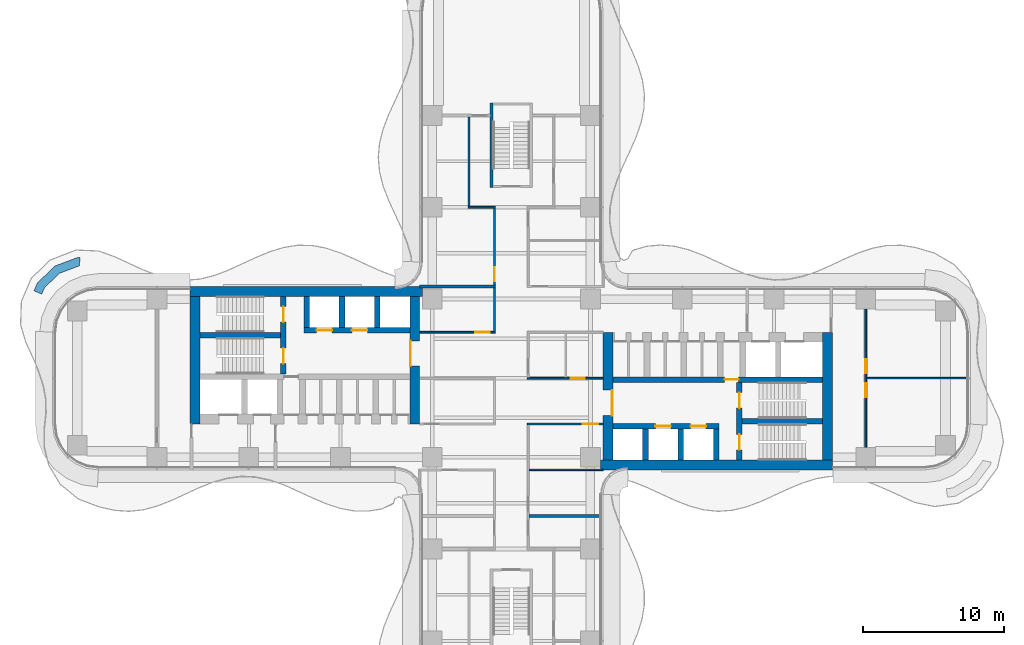
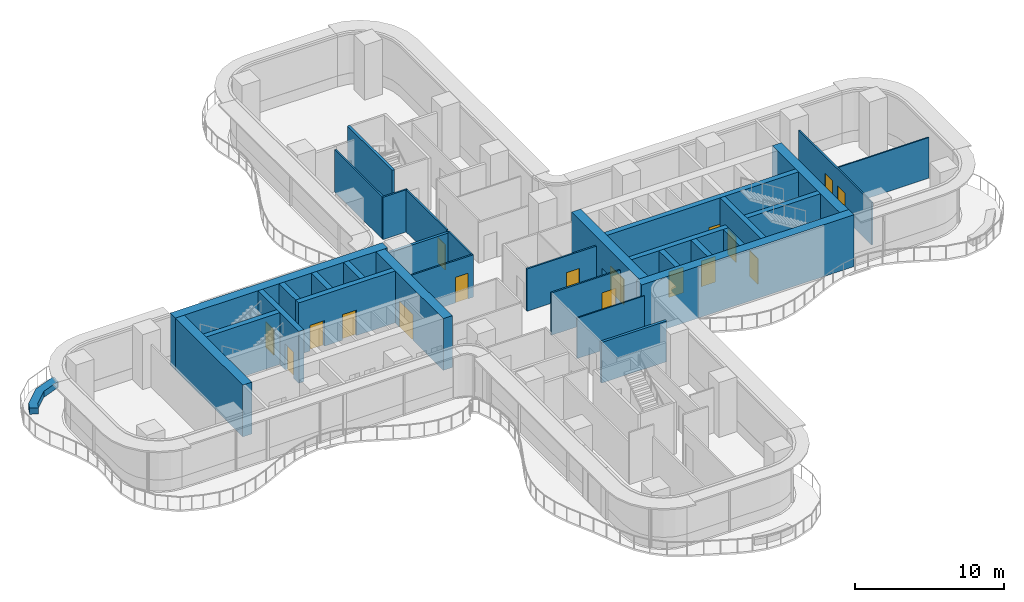
# One storey, part 18 of 22: 33 walls, 17 doors, 17 openings.
"""IFC4 building model written with IfcOpenShell, lengths in metres."""

from ifc_helpers import new_model, si_unit, direction, frame, frame_2d, origin, place, context, subcontext, project, spatial, polyline, rectangle, outline, extrude, source, transform, mapped, material, layer, layer_set, type_object, element, fill, save


model = new_model("IFC4")

# Units and contexts
model_context = context("Model", 3, precision=1e-05, world=origin(), true_north=direction((0.0, 1.0)))
body_context = subcontext(model_context, "Body", "Model", "MODEL_VIEW")
ifc_project = project(units=[si_unit("LENGTHUNIT", "METRE"), si_unit("AREAUNIT", "SQUARE_METRE"), si_unit("VOLUMEUNIT", "CUBIC_METRE"), si_unit("PLANEANGLEUNIT", "RADIAN"), si_unit("MASSUNIT", "GRAM", prefix="KILO")], contexts=[model_context])

# Site, building, storey
site_placement = place(None, origin())
site = spatial("IfcSite", under=ifc_project, at=site_placement, CompositionType="ELEMENT")
building_placement = place(site_placement, origin())
building = spatial("IfcBuilding", under=site, at=building_placement, Name="Trellis Farm Tower", CompositionType="ELEMENT")
storey_placement = place(building_placement, frame((0.0, 0.0, 56.5)))
storey = spatial("IfcBuildingStorey", under=building, at=storey_placement, Name="L11", CompositionType="ELEMENT", Elevation=56.5)

# Wall
ifc_material_1 = material(Name="Sandstone faced masonry planter", Category="masonry")
ifc_layer_1 = layer(ifc_material_1, 0.60009765625)
ifc_layer_set_1 = layer_set([ifc_layer_1], Name="PLANTER BED 600")
wall_type_1 = type_object("IfcWallType", Name="PLANTER BED 600", PredefinedType="USERDEFINED", material=ifc_layer_set_1)
wall_1_placement = place(storey_placement, origin())
element("IfcWall", 1, at=wall_1_placement, inside=storey, type_object=wall_type_1, Name="PLANTER bed", ObjectType="PLANTER", PredefinedType="USERDEFINED", context=body_context, shape_type="SweptSolid", body=[
    extrude(outline(polyline([(-33.5712890625, 6.757080078125), (-32.328369140625, 7.94775390625), (-30.727294921875, 8.55078125), (-30.556884765625, 8.5419921875), (-30.587890625, 7.942626953125), (-30.63330078125, 7.945068359375), (-32.001708984375, 7.429443359375), (-33.06884765625, 6.4072265625), (-33.26708984375, 5.95068359375), (-33.8173828125, 6.189697265625), (-33.5712890625, 6.757080078125)])), origin(), (0.0, 0.0, 1.0), 0.5),
])

# Wall, opening, door
ifc_material_2 = material(Name="Concrete C80/95", Category="concrete")
ifc_layer_2 = layer(ifc_material_2, 0.699951171875)
ifc_layer_set_2 = layer_set([ifc_layer_2], Name="CORE OUTER WALL 700 CONCRETE C80/95")
wall_type_2 = type_object("IfcWallType", Name="CORE OUTER WALL 700 CONCRETE C80/95", PredefinedType="SHEAR", material=ifc_layer_set_2)
shared_shape_1 = source(origin(), body_context, "Body", "SweptSolid", [
    extrude(rectangle(XDim=9.050048828125, YDim=0.699951171875, at=frame_2d((4.52490234375, 0.0))), origin(), (0.0, 0.0, 1.0), 4.25),
])
wall_2_placement = place(storey_placement, frame((6.85009765625, -5.800048828125, 0.0), z_axis=(0.0, 0.0, 1.0), x_axis=(0.0, 1.0, 0.0)))
wall_2 = element("IfcWall", 2, at=wall_2_placement, inside=storey, type_object=wall_type_2, Name="Core wall", PredefinedType="SHEAR", context=body_context, shape_type="MappedRepresentation", body=[
    mapped(shared_shape_1, transform((0.0, 0.0, 0.0))),
])
shared_shape_2 = source(origin(), body_context, "Body", "SweptSolid", [
    extrude(rectangle(XDim=1.800048828125, YDim=2.10009765625, at=frame_2d((0.89990234375, 1.050048828125))), frame((0.0, 0.360107421875, 0.0), z_axis=(0.0, -1.0, 0.0), x_axis=(1.0, 0.0, 0.0)), (0.0, 0.0, 1.0), 0.72021484375),
])
opening_1_placement = place(wall_2_placement, frame((3.14990234375, 0.0, 0.0)))
opening_1 = element("IfcOpeningElement", 3, at=opening_1_placement, cuts=wall_2, Name="Opening DC1", PredefinedType="OPENING", context=body_context, shape_type="MappedRepresentation", body=[
    mapped(shared_shape_2, transform((0.0, 0.0, 0.0))),
])
ifc_material_3 = material(Name="Steel", Category="steel")
door_type_1 = type_object("IfcDoorType", Name="CORE FIRE DOOR DOUBLE 1800 X 2100", OperationType="DOUBLE_DOOR_SINGLE_SWING", PredefinedType="DOOR", material=ifc_material_3)
shared_shape_3 = source(origin(), body_context, "Body", "SweptSolid", [
    extrude(rectangle(XDim=1.800048828125, YDim=2.10009765625, at=frame_2d((0.89990234375, 1.050048828125))), frame((0.0, -0.27490234375, 0.0), z_axis=(0.0, -1.0, 0.0), x_axis=(1.0, 0.0, 0.0)), (0.0, 0.0, 1.0), 0.050048828125),
])
door_1_placement = place(opening_1_placement, origin())
door_1 = element("IfcDoor", 4, at=door_1_placement, inside=storey, type_object=door_type_1, Name="Core door", OperationType="DOUBLE_DOOR_SINGLE_SWING", OverallHeight=2.10009765625, OverallWidth=1.800048828125, PredefinedType="DOOR", context=body_context, shape_type="MappedRepresentation", body=[
    mapped(shared_shape_3, transform((0.0, 0.0, 0.0))),
])
fill(opening_1, door_1)

# Wall
wall_3_placement = place(storey_placement, frame((22.39990234375, -5.800048828125, 0.0), z_axis=(0.0, 0.0, 1.0), x_axis=(0.0, 1.0, 0.0)))
element("IfcWall", 5, at=wall_3_placement, inside=storey, type_object=wall_type_2, Name="Core wall", PredefinedType="SHEAR", context=body_context, shape_type="MappedRepresentation", body=[
    mapped(shared_shape_1, transform((0.0, 0.0, 0.0))),
])

# Wall, opening, door
wall_4_placement = place(storey_placement, frame((-6.85009765625, 5.800048828125, 0.0), z_axis=(0.0, 0.0, 1.0), x_axis=(0.0, -1.0, 0.0)))
wall_4 = element("IfcWall", 6, at=wall_4_placement, inside=storey, type_object=wall_type_2, Name="Core wall", PredefinedType="SHEAR", context=body_context, shape_type="MappedRepresentation", body=[
    mapped(shared_shape_1, transform((0.0, 0.0, 0.0))),
])
opening_2_placement = place(wall_4_placement, frame((3.14990234375, 0.0, 0.0)))
opening_2 = element("IfcOpeningElement", 7, at=opening_2_placement, cuts=wall_4, Name="Opening DC87", PredefinedType="OPENING", context=body_context, shape_type="MappedRepresentation", body=[
    mapped(shared_shape_2, transform((0.0, 0.0, 0.0))),
])
door_2_placement = place(opening_2_placement, origin())
door_2 = element("IfcDoor", 8, at=door_2_placement, inside=storey, type_object=door_type_1, Name="Core door", OperationType="DOUBLE_DOOR_SINGLE_SWING", OverallHeight=2.10009765625, OverallWidth=1.800048828125, PredefinedType="DOOR", context=body_context, shape_type="MappedRepresentation", body=[
    mapped(shared_shape_3, transform((0.0, 0.0, 0.0))),
])
fill(opening_2, door_2)

# Walls
wall_5_placement = place(storey_placement, frame((-22.39990234375, 5.800048828125, 0.0), z_axis=(0.0, 0.0, 1.0), x_axis=(0.0, -1.0, 0.0)))
element("IfcWall", 9, at=wall_5_placement, inside=storey, type_object=wall_type_2, Name="Core wall", PredefinedType="SHEAR", context=body_context, shape_type="MappedRepresentation", body=[
    mapped(shared_shape_1, transform((0.0, 0.0, 0.0))),
])
ifc_layer_3 = layer(ifc_material_2, 0.39990234375)
ifc_layer_set_3 = layer_set([ifc_layer_3], Name="CORE INNER WALL 400 CONCRETE C80/95")
wall_type_3 = type_object("IfcWallType", Name="CORE INNER WALL 400 CONCRETE C80/95", PredefinedType="SHEAR", material=ifc_layer_set_3)
shared_shape_4 = source(origin(), body_context, "Body", "SweptSolid", [
    extrude(rectangle(XDim=2.199951171875, YDim=0.39990234375, at=frame_2d((1.10009765625, 0.0))), origin(), (0.0, 0.0, 1.0), 4.25),
])
for number, where, z_axis, x_axis, name in (
    (10, (9.5, -5.800048828125, 0.0), (0.0, 0.0, 1.0), (0.0, 1.0, 0.0), "Core wall"),
    (11, (12.0, -5.800048828125, 0.0), (0.0, 0.0, 1.0), (0.0, 1.0, 0.0), "Core wall"),
    (12, (14.5, -5.800048828125, 0.0), (0.0, 0.0, 1.0), (0.0, 1.0, 0.0), "Core wall"),
    (13, (-9.5, 5.800048828125, 0.0), (0.0, 0.0, 1.0), (0.0, -1.0, 0.0), "Core wall"),
    (14, (-12.0, 5.800048828125, 0.0), (0.0, 0.0, 1.0), (0.0, -1.0, 0.0), "Core wall"),
    (15, (-14.5, 5.800048828125, 0.0), (0.0, 0.0, 1.0), (0.0, -1.0, 0.0), "Core wall"),
):
    element("IfcWall", number, at=place(storey_placement, frame(where, z_axis=z_axis, x_axis=x_axis)), inside=storey, type_object=wall_type_3, Name=name, PredefinedType="SHEAR", context=body_context, shape_type="MappedRepresentation", body=[
        mapped(shared_shape_4, transform((0.0, 0.0, 0.0))),
    ])
shared_shape_5 = source(origin(), body_context, "Body", "SweptSolid", [
    extrude(rectangle(XDim=16.449951171875, YDim=0.699951171875, at=frame_2d((8.22509765625, 0.0))), origin(), (0.0, 0.0, 1.0), 4.25),
])
for number, where, z_axis, x_axis, name in (
    (16, (6.300048828125, -6.14990234375, 0.0), (0.0, 0.0, 1.0), (1.0, 0.0, 0.0), "Core wall"),
    (17, (-6.300048828125, 6.14990234375, 0.0), (0.0, 0.0, 1.0), (-1.0, 0.0, 0.0), "Core wall"),
):
    element("IfcWall", number, at=place(storey_placement, frame(where, z_axis=z_axis, x_axis=x_axis)), inside=storey, type_object=wall_type_2, Name=name, PredefinedType="SHEAR", context=body_context, shape_type="MappedRepresentation", body=[
        mapped(shared_shape_5, transform((0.0, 0.0, 0.0))),
    ])

# Wall, openings, doors
shared_shape_6 = source(origin(), body_context, "Body", "SweptSolid", [
    extrude(rectangle(XDim=7.5, YDim=0.39990234375, at=frame_2d((3.75, 0.0))), origin(), (0.0, 0.0, 1.0), 4.25),
])
wall_6_placement = place(storey_placement, frame((7.199951171875, -3.39990234375, 0.0), z_axis=(0.0, 0.0, 1.0), x_axis=(1.0, 0.0, 0.0)))
wall_6 = element("IfcWall", 18, at=wall_6_placement, inside=storey, type_object=wall_type_3, Name="Core wall", PredefinedType="SHEAR", context=body_context, shape_type="MappedRepresentation", body=[
    mapped(shared_shape_6, transform((0.0, 0.0, 0.0))),
])
shared_shape_7 = source(origin(), body_context, "Body", "SweptSolid", [
    extrude(rectangle(XDim=1.10009765625, YDim=2.10009765625, at=frame_2d((0.550048828125, 1.050048828125))), frame((0.0, 0.2099609375, 0.0), z_axis=(0.0, -1.0, 0.0), x_axis=(1.0, 0.0, 0.0)), (0.0, 0.0, 1.0), 0.419921875),
])
opening_3_placement = place(wall_6_placement, frame((3.0, 0.0, 0.0)))
opening_3 = element("IfcOpeningElement", 19, at=opening_3_placement, cuts=wall_6, Name="Opening LD2", PredefinedType="OPENING", context=body_context, shape_type="MappedRepresentation", body=[
    mapped(shared_shape_7, transform((0.0, 0.0, 0.0))),
])
opening_4_placement = place(wall_6_placement, frame((5.5, 0.0, 0.0)))
opening_4 = element("IfcOpeningElement", 20, at=opening_4_placement, cuts=wall_6, Name="Opening LD3", PredefinedType="OPENING", context=body_context, shape_type="MappedRepresentation", body=[
    mapped(shared_shape_7, transform((0.0, 0.0, 0.0))),
])
ifc_material_4 = material(Name="Stainless steel", Category="steel")
door_type_2 = type_object("IfcDoorType", Name="LIFT LANDING DOOR 1100 X 2100", OperationType="DOUBLE_DOOR_SLIDING", PredefinedType="DOOR", material=ifc_material_4)
shared_shape_8 = source(origin(), body_context, "Body", "SweptSolid", [
    extrude(rectangle(XDim=1.10009765625, YDim=2.10009765625, at=frame_2d((0.550048828125, 1.050048828125))), frame((0.0, 0.02490234375, 0.0), z_axis=(0.0, -1.0, 0.0), x_axis=(1.0, 0.0, 0.0)), (0.0, 0.0, 1.0), 0.050048828125),
])
door_3_placement = place(opening_3_placement, origin())
door_3 = element("IfcDoor", 21, at=door_3_placement, inside=storey, type_object=door_type_2, Name="Lift landing door", OperationType="DOUBLE_DOOR_SLIDING", OverallHeight=2.10009765625, OverallWidth=1.10009765625, PredefinedType="DOOR", context=body_context, shape_type="MappedRepresentation", body=[
    mapped(shared_shape_8, transform((0.0, 0.0, 0.0))),
])
fill(opening_3, door_3)
door_4_placement = place(opening_4_placement, origin())
door_4 = element("IfcDoor", 22, at=door_4_placement, inside=storey, type_object=door_type_2, Name="Lift landing door", OperationType="DOUBLE_DOOR_SLIDING", OverallHeight=2.10009765625, OverallWidth=1.10009765625, PredefinedType="DOOR", context=body_context, shape_type="MappedRepresentation", body=[
    mapped(shared_shape_8, transform((0.0, 0.0, 0.0))),
])
fill(opening_4, door_4)

wall_7_placement = place(storey_placement, frame((-7.199951171875, 3.39990234375, 0.0), z_axis=(0.0, 0.0, 1.0), x_axis=(-1.0, 0.0, 0.0)))
wall_7 = element("IfcWall", 23, at=wall_7_placement, inside=storey, type_object=wall_type_3, Name="Core wall", PredefinedType="SHEAR", context=body_context, shape_type="MappedRepresentation", body=[
    mapped(shared_shape_6, transform((0.0, 0.0, 0.0))),
])
opening_5_placement = place(wall_7_placement, frame((3.0, 0.0, 0.0)))
opening_5 = element("IfcOpeningElement", 24, at=opening_5_placement, cuts=wall_7, Name="Opening LD10", PredefinedType="OPENING", context=body_context, shape_type="MappedRepresentation", body=[
    mapped(shared_shape_7, transform((0.0, 0.0, 0.0))),
])
opening_6_placement = place(wall_7_placement, frame((5.5, 0.0, 0.0)))
opening_6 = element("IfcOpeningElement", 25, at=opening_6_placement, cuts=wall_7, Name="Opening LD11", PredefinedType="OPENING", context=body_context, shape_type="MappedRepresentation", body=[
    mapped(shared_shape_7, transform((0.0, 0.0, 0.0))),
])
door_5_placement = place(opening_5_placement, origin())
door_5 = element("IfcDoor", 26, at=door_5_placement, inside=storey, type_object=door_type_2, Name="Lift landing door", OperationType="DOUBLE_DOOR_SLIDING", OverallHeight=2.10009765625, OverallWidth=1.10009765625, PredefinedType="DOOR", context=body_context, shape_type="MappedRepresentation", body=[
    mapped(shared_shape_8, transform((0.0, 0.0, 0.0))),
])
fill(opening_5, door_5)
door_6_placement = place(opening_6_placement, origin())
door_6 = element("IfcDoor", 27, at=door_6_placement, inside=storey, type_object=door_type_2, Name="Lift landing door", OperationType="DOUBLE_DOOR_SLIDING", OverallHeight=2.10009765625, OverallWidth=1.10009765625, PredefinedType="DOOR", context=body_context, shape_type="MappedRepresentation", body=[
    mapped(shared_shape_8, transform((0.0, 0.0, 0.0))),
])
fill(opening_6, door_6)

# Wall, opening, door
shared_shape_9 = source(origin(), body_context, "Body", "SweptSolid", [
    extrude(rectangle(XDim=14.85009765625, YDim=0.39990234375, at=frame_2d((7.425048828125, 0.0))), origin(), (0.0, 0.0, 1.0), 4.25),
])
wall_8_placement = place(storey_placement, frame((7.199951171875, -0.10009765625, 0.0), z_axis=(0.0, 0.0, 1.0), x_axis=(1.0, 0.0, 0.0)))
wall_8 = element("IfcWall", 28, at=wall_8_placement, inside=storey, type_object=wall_type_3, Name="Core wall", PredefinedType="SHEAR", context=body_context, shape_type="MappedRepresentation", body=[
    mapped(shared_shape_9, transform((0.0, 0.0, 0.0))),
])
shared_shape_10 = source(origin(), body_context, "Body", "SweptSolid", [
    extrude(rectangle(XDim=1.0, YDim=2.10009765625, at=frame_2d((0.5, 1.050048828125))), frame((0.0, 0.2099609375, 0.0), z_axis=(0.0, -1.0, 0.0), x_axis=(1.0, 0.0, 0.0)), (0.0, 0.0, 1.0), 0.419921875),
])
opening_7_placement = place(wall_8_placement, frame((7.89990234375, 0.0, 0.0)))
opening_7 = element("IfcOpeningElement", 29, at=opening_7_placement, cuts=wall_8, Name="Opening DC5", PredefinedType="OPENING", context=body_context, shape_type="MappedRepresentation", body=[
    mapped(shared_shape_10, transform((0.0, 0.0, 0.0))),
])
door_type_3 = type_object("IfcDoorType", Name="CORE FIRE DOOR 1000 X 2100", OperationType="NOTDEFINED", PredefinedType="DOOR", material=ifc_material_3)
shared_shape_11 = source(origin(), body_context, "Body", "SweptSolid", [
    extrude(rectangle(XDim=1.0, YDim=2.10009765625, at=frame_2d((0.5, 1.050048828125))), frame((0.0, 0.02490234375, 0.0), z_axis=(0.0, -1.0, 0.0), x_axis=(1.0, 0.0, 0.0)), (0.0, 0.0, 1.0), 0.050048828125),
])
door_7_placement = place(opening_7_placement, origin())
door_7 = element("IfcDoor", 30, at=door_7_placement, inside=storey, type_object=door_type_3, Name="Core door", OperationType="SINGLE_SWING_RIGHT", OverallHeight=2.10009765625, OverallWidth=1.0, PredefinedType="DOOR", context=body_context, shape_type="MappedRepresentation", body=[
    mapped(shared_shape_11, transform((0.0, 0.0, 0.0))),
])
fill(opening_7, door_7)

# Wall, openings, doors
shared_shape_12 = source(origin(), body_context, "Body", "SweptSolid", [
    extrude(rectangle(XDim=5.5, YDim=0.39990234375, at=frame_2d((2.75, 0.0))), origin(), (0.0, 0.0, 1.0), 4.25),
])
wall_9_placement = place(storey_placement, frame((16.14990234375, -5.800048828125, 0.0), z_axis=(0.0, 0.0, 1.0), x_axis=(0.0, 1.0, 0.0)))
wall_9 = element("IfcWall", 31, at=wall_9_placement, inside=storey, type_object=wall_type_3, Name="Core wall", PredefinedType="SHEAR", context=body_context, shape_type="MappedRepresentation", body=[
    mapped(shared_shape_12, transform((0.0, 0.0, 0.0))),
])
opening_8_placement = place(wall_9_placement, frame((0.72509765625, 0.0, 0.0)))
opening_8 = element("IfcOpeningElement", 32, at=opening_8_placement, cuts=wall_9, Name="Opening DC2", PredefinedType="OPENING", context=body_context, shape_type="MappedRepresentation", body=[
    mapped(shared_shape_7, transform((0.0, 0.0, 0.0))),
])
opening_9_placement = place(wall_9_placement, frame((3.675048828125, 0.0, 0.0)))
opening_9 = element("IfcOpeningElement", 33, at=opening_9_placement, cuts=wall_9, Name="Opening DC3", PredefinedType="OPENING", context=body_context, shape_type="MappedRepresentation", body=[
    mapped(shared_shape_7, transform((0.0, 0.0, 0.0))),
])
door_type_4 = type_object("IfcDoorType", Name="CORE FIRE DOOR 1100 X 2100", OperationType="NOTDEFINED", PredefinedType="DOOR", material=ifc_material_3)
door_8_placement = place(opening_8_placement, origin())
door_8 = element("IfcDoor", 34, at=door_8_placement, inside=storey, type_object=door_type_4, Name="Core door", OperationType="SINGLE_SWING_RIGHT", OverallHeight=2.10009765625, OverallWidth=1.10009765625, PredefinedType="DOOR", context=body_context, shape_type="MappedRepresentation", body=[
    mapped(shared_shape_8, transform((0.0, 0.0, 0.0))),
])
fill(opening_8, door_8)
door_9_placement = place(opening_9_placement, origin())
door_9 = element("IfcDoor", 35, at=door_9_placement, inside=storey, type_object=door_type_4, Name="Core door", OperationType="SINGLE_SWING_LEFT", OverallHeight=2.10009765625, OverallWidth=1.10009765625, PredefinedType="DOOR", context=body_context, shape_type="MappedRepresentation", body=[
    mapped(shared_shape_8, transform((0.0, 0.0, 0.0))),
])
fill(opening_9, door_9)

wall_10_placement = place(storey_placement, frame((-16.14990234375, 5.800048828125, 0.0), z_axis=(0.0, 0.0, 1.0), x_axis=(0.0, -1.0, 0.0)))
wall_10 = element("IfcWall", 36, at=wall_10_placement, inside=storey, type_object=wall_type_3, Name="Core wall", PredefinedType="SHEAR", context=body_context, shape_type="MappedRepresentation", body=[
    mapped(shared_shape_12, transform((0.0, 0.0, 0.0))),
])
opening_10_placement = place(wall_10_placement, frame((0.72509765625, 0.0, 0.0)))
opening_10 = element("IfcOpeningElement", 37, at=opening_10_placement, cuts=wall_10, Name="Opening DC88", PredefinedType="OPENING", context=body_context, shape_type="MappedRepresentation", body=[
    mapped(shared_shape_7, transform((0.0, 0.0, 0.0))),
])
opening_11_placement = place(wall_10_placement, frame((3.675048828125, 0.0, 0.0)))
opening_11 = element("IfcOpeningElement", 38, at=opening_11_placement, cuts=wall_10, Name="Opening DC89", PredefinedType="OPENING", context=body_context, shape_type="MappedRepresentation", body=[
    mapped(shared_shape_7, transform((0.0, 0.0, 0.0))),
])
door_10_placement = place(opening_10_placement, origin())
door_10 = element("IfcDoor", 39, at=door_10_placement, inside=storey, type_object=door_type_4, Name="Core door", OperationType="SINGLE_SWING_RIGHT", OverallHeight=2.10009765625, OverallWidth=1.10009765625, PredefinedType="DOOR", context=body_context, shape_type="MappedRepresentation", body=[
    mapped(shared_shape_8, transform((0.0, 0.0, 0.0))),
])
fill(opening_10, door_10)
door_11_placement = place(opening_11_placement, origin())
door_11 = element("IfcDoor", 40, at=door_11_placement, inside=storey, type_object=door_type_4, Name="Core door", OperationType="SINGLE_SWING_LEFT", OverallHeight=2.10009765625, OverallWidth=1.10009765625, PredefinedType="DOOR", context=body_context, shape_type="MappedRepresentation", body=[
    mapped(shared_shape_8, transform((0.0, 0.0, 0.0))),
])
fill(opening_11, door_11)

# Walls
shared_shape_13 = source(origin(), body_context, "Body", "SweptSolid", [
    extrude(rectangle(XDim=5.699951171875, YDim=0.39990234375, at=frame_2d((2.85009765625, 0.0))), origin(), (0.0, 0.0, 1.0), 4.25),
])
for number, where, z_axis, x_axis, name in (
    (41, (16.35009765625, -3.050048828125, 0.0), (0.0, 0.0, 1.0), (1.0, 0.0, 0.0), "Core wall"),
    (42, (-16.35009765625, 3.050048828125, 0.0), (0.0, 0.0, 1.0), (-1.0, 0.0, 0.0), "Core wall"),
):
    element("IfcWall", number, at=place(storey_placement, frame(where, z_axis=z_axis, x_axis=x_axis)), inside=storey, type_object=wall_type_3, Name=name, PredefinedType="SHEAR", context=body_context, shape_type="MappedRepresentation", body=[
        mapped(shared_shape_13, transform((0.0, 0.0, 0.0))),
    ])
ifc_layer_4 = layer(ifc_material_2, 0.199951171875)
ifc_layer_set_4 = layer_set([ifc_layer_4], Name="CORE STAIR ENCLOSURE WALL 200 CONCRETE C80/95")
wall_type_4 = type_object("IfcWallType", Name="CORE STAIR ENCLOSURE WALL 200 CONCRETE C80/95", PredefinedType="SHEAR", material=ifc_layer_set_4)
shared_shape_14 = source(origin(), body_context, "Body", "SweptSolid", [
    extrude(rectangle(XDim=6.0, YDim=0.199951171875, at=frame_2d((3.0, 0.0))), origin(), (0.0, 0.0, 1.0), 4.25),
])
wall_11_placement = place(storey_placement, frame((-1.39990234375, 13.5, 0.0), z_axis=(0.0, 0.0, 1.0), x_axis=(0.0, 1.0, 0.0)))
element("IfcWall", 43, at=wall_11_placement, inside=storey, type_object=wall_type_4, Name="Stair enclosure wall", PredefinedType="SHEAR", context=body_context, shape_type="MappedRepresentation", body=[
    mapped(shared_shape_14, transform((0.0, 0.0, 0.0))),
])

# Wall, openings, doors
ifc_material_5 = material(Name="Plasterboard on steel studs, mineral wool", Category="steel")
ifc_layer_5 = layer(ifc_material_5, 0.125)
ifc_layer_set_5 = layer_set([ifc_layer_5], Name="PARTITION 125 STUD EI 60")
wall_type_5 = type_object("IfcWallType", Name="PARTITION 125 STUD EI 60", PredefinedType="PARTITIONING", material=ifc_layer_set_5)
shared_shape_15 = source(origin(), body_context, "Body", "SweptSolid", [
    extrude(rectangle(XDim=9.7998046875, YDim=0.125, at=frame_2d((4.89990234375, 0.0))), origin(), (0.0, 0.0, 1.0), 3.4677734375),
])
wall_12_placement = place(storey_placement, frame((25.10009765625, 4.89990234375, 0.0), z_axis=(0.0, 0.0, 1.0), x_axis=(0.0, -1.0, 0.0)))
wall_12 = element("IfcWall", 44, at=wall_12_placement, inside=storey, type_object=wall_type_5, Name="Partition PW1", PredefinedType="PARTITIONING", context=body_context, shape_type="MappedRepresentation", body=[
    mapped(shared_shape_15, transform((0.0, 0.0, 0.0))),
])
shared_shape_16 = source(origin(), body_context, "Body", "SweptSolid", [
    extrude(rectangle(XDim=1.0, YDim=2.10009765625, at=frame_2d((0.5, 1.050048828125))), frame((0.0, 0.072509765625, 0.0), z_axis=(0.0, -1.0, 0.0), x_axis=(1.0, 0.0, 0.0)), (0.0, 0.0, 1.0), 0.14501953125),
])
opening_12_placement = place(wall_12_placement, frame((5.25, 0.0, 0.0)))
opening_12 = element("IfcOpeningElement", 45, at=opening_12_placement, cuts=wall_12, Name="Opening D108", PredefinedType="OPENING", context=body_context, shape_type="MappedRepresentation", body=[
    mapped(shared_shape_16, transform((0.0, 0.0, 0.0))),
])
opening_13_placement = place(wall_12_placement, frame((3.550048828125, 0.0, 0.0)))
opening_13 = element("IfcOpeningElement", 46, at=opening_13_placement, cuts=wall_12, Name="Opening D111", PredefinedType="OPENING", context=body_context, shape_type="MappedRepresentation", body=[
    mapped(shared_shape_16, transform((0.0, 0.0, 0.0))),
])
ifc_material_6 = material(Name="Fire-rated timber door leaf in a hollow metal frame", Category="wood")
door_type_5 = type_object("IfcDoorType", Name="DOOR 1000x2100 FD30S", OperationType="NOTDEFINED", PredefinedType="DOOR", material=ifc_material_6)
door_12_placement = place(opening_12_placement, origin())
door_12 = element("IfcDoor", 47, at=door_12_placement, inside=storey, type_object=door_type_5, Name="Door D108", OperationType="SINGLE_SWING_LEFT", OverallHeight=2.10009765625, OverallWidth=1.0, PredefinedType="DOOR", context=body_context, shape_type="MappedRepresentation", body=[
    mapped(shared_shape_11, transform((0.0, 0.0, 0.0))),
])
fill(opening_12, door_12)
door_13_placement = place(opening_13_placement, origin())
door_13 = element("IfcDoor", 48, at=door_13_placement, inside=storey, type_object=door_type_5, Name="Door D111", OperationType="SINGLE_SWING_RIGHT", OverallHeight=2.10009765625, OverallWidth=1.0, PredefinedType="DOOR", context=body_context, shape_type="MappedRepresentation", body=[
    mapped(shared_shape_11, transform((0.0, 0.0, 0.0))),
])
fill(opening_13, door_13)

# Wall
shared_shape_17 = source(origin(), body_context, "Body", "SweptSolid", [
    extrude(rectangle(XDim=1.925048828125, YDim=0.125, at=frame_2d((0.96240234375, 0.0))), origin(), (0.0, 0.0, 1.0), 3.4677734375),
])
wall_13_placement = place(storey_placement, frame((-1.137451171875, 12.10009765625, 0.0), z_axis=(0.0, 0.0, 1.0), x_axis=(-1.0, 0.0, 0.0)))
element("IfcWall", 49, at=wall_13_placement, inside=storey, type_object=wall_type_5, Name="Partition PW1", PredefinedType="PARTITIONING", context=body_context, shape_type="MappedRepresentation", body=[
    mapped(shared_shape_17, transform((0.0, 0.0, 0.0))),
])

# Wall, opening, door
shared_shape_18 = source(origin(), body_context, "Body", "SweptSolid", [
    extrude(rectangle(XDim=5.362548828125, YDim=0.125, at=frame_2d((2.68115234375, 0.0))), origin(), (0.0, 0.0, 1.0), 3.4677734375),
])
wall_14_placement = place(storey_placement, frame((6.5, -3.25, 0.0), z_axis=(0.0, 0.0, 1.0), x_axis=(-1.0, 0.0, 0.0)))
wall_14 = element("IfcWall", 50, at=wall_14_placement, inside=storey, type_object=wall_type_5, Name="Partition PW1", PredefinedType="PARTITIONING", context=body_context, shape_type="MappedRepresentation", body=[
    mapped(shared_shape_18, transform((0.0, 0.0, 0.0))),
])
shared_shape_19 = source(origin(), body_context, "Body", "SweptSolid", [
    extrude(rectangle(XDim=1.10009765625, YDim=2.10009765625, at=frame_2d((0.550048828125, 1.050048828125))), frame((0.0, 0.072509765625, 0.0), z_axis=(0.0, -1.0, 0.0), x_axis=(1.0, 0.0, 0.0)), (0.0, 0.0, 1.0), 0.14501953125),
])
opening_14_placement = place(wall_14_placement, frame((0.35009765625, 0.0, 0.0)))
opening_14 = element("IfcOpeningElement", 51, at=opening_14_placement, cuts=wall_14, Name="Opening D501", PredefinedType="OPENING", context=body_context, shape_type="MappedRepresentation", body=[
    mapped(shared_shape_19, transform((0.0, 0.0, 0.0))),
])
door_type_6 = type_object("IfcDoorType", Name="DOOR 1100x2100 FD30S", OperationType="NOTDEFINED", PredefinedType="DOOR", material=ifc_material_6)
door_14_placement = place(opening_14_placement, origin())
door_14 = element("IfcDoor", 52, at=door_14_placement, inside=storey, type_object=door_type_6, Name="Door D501", OperationType="SINGLE_SWING_LEFT", OverallHeight=2.10009765625, OverallWidth=1.10009765625, PredefinedType="DOOR", context=body_context, shape_type="MappedRepresentation", body=[
    mapped(shared_shape_8, transform((0.0, 0.0, 0.0))),
])
fill(opening_14, door_14)

wall_15_placement = place(storey_placement, frame((6.5, 0.0, 0.0), z_axis=(0.0, 0.0, 1.0), x_axis=(-1.0, 0.0, 0.0)))
wall_15 = element("IfcWall", 53, at=wall_15_placement, inside=storey, type_object=wall_type_5, Name="Partition PW1", PredefinedType="PARTITIONING", context=body_context, shape_type="MappedRepresentation", body=[
    mapped(shared_shape_18, transform((0.0, 0.0, 0.0))),
])
opening_15_placement = place(wall_15_placement, frame((1.300048828125, 0.0, 0.0)))
opening_15 = element("IfcOpeningElement", 54, at=opening_15_placement, cuts=wall_15, Name="Opening D109", PredefinedType="OPENING", context=body_context, shape_type="MappedRepresentation", body=[
    mapped(shared_shape_16, transform((0.0, 0.0, 0.0))),
])
door_15_placement = place(opening_15_placement, origin())
door_15 = element("IfcDoor", 55, at=door_15_placement, inside=storey, type_object=door_type_5, Name="Door D109", OperationType="SINGLE_SWING_RIGHT", OverallHeight=2.10009765625, OverallWidth=1.0, PredefinedType="DOOR", context=body_context, shape_type="MappedRepresentation", body=[
    mapped(shared_shape_11, transform((0.0, 0.0, 0.0))),
])
fill(opening_15, door_15)

wall_16_placement = place(storey_placement, frame((-6.5, 3.25, 0.0), z_axis=(0.0, 0.0, 1.0), x_axis=(1.0, 0.0, 0.0)))
wall_16 = element("IfcWall", 56, at=wall_16_placement, inside=storey, type_object=wall_type_5, Name="Partition PW1", PredefinedType="PARTITIONING", context=body_context, shape_type="MappedRepresentation", body=[
    mapped(shared_shape_18, transform((0.0, 0.0, 0.0))),
])
opening_16_placement = place(wall_16_placement, frame((3.949951171875, 0.0, 0.0)))
opening_16 = element("IfcOpeningElement", 57, at=opening_16_placement, cuts=wall_16, Name="Opening D112", PredefinedType="OPENING", context=body_context, shape_type="MappedRepresentation", body=[
    mapped(shared_shape_16, transform((0.0, 0.0, 0.0))),
])
door_16_placement = place(opening_16_placement, origin())
door_16 = element("IfcDoor", 58, at=door_16_placement, inside=storey, type_object=door_type_5, Name="Door D112", OperationType="SINGLE_SWING_RIGHT", OverallHeight=2.10009765625, OverallWidth=1.0, PredefinedType="DOOR", context=body_context, shape_type="MappedRepresentation", body=[
    mapped(shared_shape_11, transform((0.0, 0.0, 0.0))),
])
fill(opening_16, door_16)

# Walls
ifc_material_7 = material(Name="Plasterboard on steel studs", Category="steel")
ifc_layer_6 = layer(ifc_material_7, 0.10009765625)
ifc_layer_set_6 = layer_set([ifc_layer_6], Name="PARTITION 100 STUD EI 30")
wall_type_6 = type_object("IfcWallType", Name="PARTITION 100 STUD EI 30", PredefinedType="PARTITIONING", material=ifc_layer_set_6)
shared_shape_20 = source(origin(), body_context, "Body", "SweptSolid", [
    extrude(rectangle(XDim=7.137451171875, YDim=0.10009765625, at=frame_2d((3.56884765625, 0.0))), origin(), (0.0, 0.0, 1.0), 3.330078125),
])
wall_17_placement = place(storey_placement, frame((25.16259765625, 0.0, 0.0), z_axis=(0.0, 0.0, 1.0), x_axis=(1.0, 0.0, 0.0)))
element("IfcWall", 59, at=wall_17_placement, inside=storey, type_object=wall_type_6, Name="Partition PW2", PredefinedType="PARTITIONING", context=body_context, shape_type="MappedRepresentation", body=[
    mapped(shared_shape_20, transform((0.0, 0.0, 0.0))),
])
ifc_material_8 = material(Name="Lightweight blockwork, plastered", Category="masonry")
ifc_layer_7 = layer(ifc_material_8, 0.199951171875)
ifc_layer_set_7 = layer_set([ifc_layer_7], Name="BLOCK WALL 200 EI 120")
wall_type_7 = type_object("IfcWallType", Name="BLOCK WALL 200 EI 120", PredefinedType="PARTITIONING", material=ifc_layer_set_7)
shared_shape_21 = source(origin(), body_context, "Body", "SweptSolid", [
    extrude(rectangle(XDim=5.03759765625, YDim=0.199951171875, at=frame_2d((2.518798828125, 0.0))), origin(), (0.0, 0.0, 1.0), 3.330078125),
])
wall_18_placement = place(storey_placement, frame((1.262451171875, -9.75, 0.0), z_axis=(0.0, 0.0, 1.0), x_axis=(1.0, 0.0, 0.0)))
element("IfcWall", 60, at=wall_18_placement, inside=storey, type_object=wall_type_7, Name="Partition PW3", PredefinedType="PARTITIONING", context=body_context, shape_type="MappedRepresentation", body=[
    mapped(shared_shape_21, transform((0.0, 0.0, 0.0))),
])
shared_shape_22 = source(origin(), body_context, "Body", "SweptSolid", [
    extrude(rectangle(XDim=6.33740234375, YDim=0.125, at=frame_2d((3.168701171875, 0.0))), origin(), (0.0, 0.0, 1.0), 3.4677734375),
])
wall_19_placement = place(storey_placement, frame((-3.0, 12.16259765625, 0.0), z_axis=(0.0, 0.0, 1.0), x_axis=(0.0, 1.0, 0.0)))
element("IfcWall", 61, at=wall_19_placement, inside=storey, type_object=wall_type_5, Name="Partition PW1", PredefinedType="PARTITIONING", context=body_context, shape_type="MappedRepresentation", body=[
    mapped(shared_shape_22, transform((0.0, 0.0, 0.0))),
])
shared_shape_23 = source(origin(), body_context, "Body", "SweptSolid", [
    extrude(rectangle(XDim=3.08740234375, YDim=0.125, at=frame_2d((1.543701171875, 0.0))), origin(), (0.0, 0.0, 1.0), 3.4677734375),
])
wall_20_placement = place(storey_placement, frame((-1.199951171875, 6.39990234375, 0.0), z_axis=(0.0, 0.0, 1.0), x_axis=(0.0, -1.0, 0.0)))
element("IfcWall", 62, at=wall_20_placement, inside=storey, type_object=wall_type_5, Name="Partition PW1", PredefinedType="PARTITIONING", context=body_context, shape_type="MappedRepresentation", body=[
    mapped(shared_shape_23, transform((0.0, 0.0, 0.0))),
])

# Wall, opening, door
shared_shape_24 = source(origin(), body_context, "Body", "SweptSolid", [
    extrude(rectangle(XDim=5.4375, YDim=0.125, at=frame_2d((2.71875, 0.0))), origin(), (0.0, 0.0, 1.0), 3.4677734375),
])
wall_21_placement = place(storey_placement, frame((-1.199951171875, 6.60009765625, 0.0), z_axis=(0.0, 0.0, 1.0), x_axis=(0.0, 1.0, 0.0)))
wall_21 = element("IfcWall", 63, at=wall_21_placement, inside=storey, type_object=wall_type_5, Name="Partition PW1", PredefinedType="PARTITIONING", context=body_context, shape_type="MappedRepresentation", body=[
    mapped(shared_shape_24, transform((0.0, 0.0, 0.0))),
])
opening_17_placement = place(wall_21_placement, frame((0.25, 0.0, 0.0)))
opening_17 = element("IfcOpeningElement", 64, at=opening_17_placement, cuts=wall_21, Name="Opening D302", PredefinedType="OPENING", context=body_context, shape_type="MappedRepresentation", body=[
    mapped(shared_shape_16, transform((0.0, 0.0, 0.0))),
])
door_type_7 = type_object("IfcDoorType", Name="DOOR 1000x2100 FD60", OperationType="NOTDEFINED", PredefinedType="DOOR", material=ifc_material_6)
door_17_placement = place(opening_17_placement, origin())
door_17 = element("IfcDoor", 65, at=door_17_placement, inside=storey, type_object=door_type_7, Name="Door D302", OperationType="SINGLE_SWING_LEFT", OverallHeight=2.10009765625, OverallWidth=1.0, PredefinedType="DOOR", context=body_context, shape_type="MappedRepresentation", body=[
    mapped(shared_shape_11, transform((0.0, 0.0, 0.0))),
])
fill(opening_17, door_17)

# Walls
shared_shape_25 = source(origin(), body_context, "Body", "SweptSolid", [
    extrude(rectangle(XDim=5.237548828125, YDim=0.10009765625, at=frame_2d((2.61865234375, 0.0))), origin(), (0.0, 0.0, 1.0), 3.330078125),
])
wall_22_placement = place(storey_placement, frame((1.262451171875, -6.5, 0.0), z_axis=(0.0, 0.0, 1.0), x_axis=(1.0, 0.0, 0.0)))
element("IfcWall", 66, at=wall_22_placement, inside=storey, type_object=wall_type_6, Name="Partition PW2", PredefinedType="PARTITIONING", context=body_context, shape_type="MappedRepresentation", body=[
    mapped(shared_shape_25, transform((0.0, 0.0, 0.0))),
])
shared_shape_26 = source(origin(), body_context, "Body", "SweptSolid", [
    extrude(rectangle(XDim=5.362548828125, YDim=0.199951171875, at=frame_2d((2.68115234375, 0.0))), origin(), (0.0, 0.0, 1.0), 3.330078125),
])
wall_23_placement = place(storey_placement, frame((-6.5, 6.5, 0.0), z_axis=(0.0, 0.0, 1.0), x_axis=(1.0, 0.0, 0.0)))
element("IfcWall", 67, at=wall_23_placement, inside=storey, type_object=wall_type_7, Name="Partition PW3", PredefinedType="PARTITIONING", context=body_context, shape_type="MappedRepresentation", body=[
    mapped(shared_shape_26, transform((0.0, 0.0, 0.0))),
])

save(model, "model.ifc")
